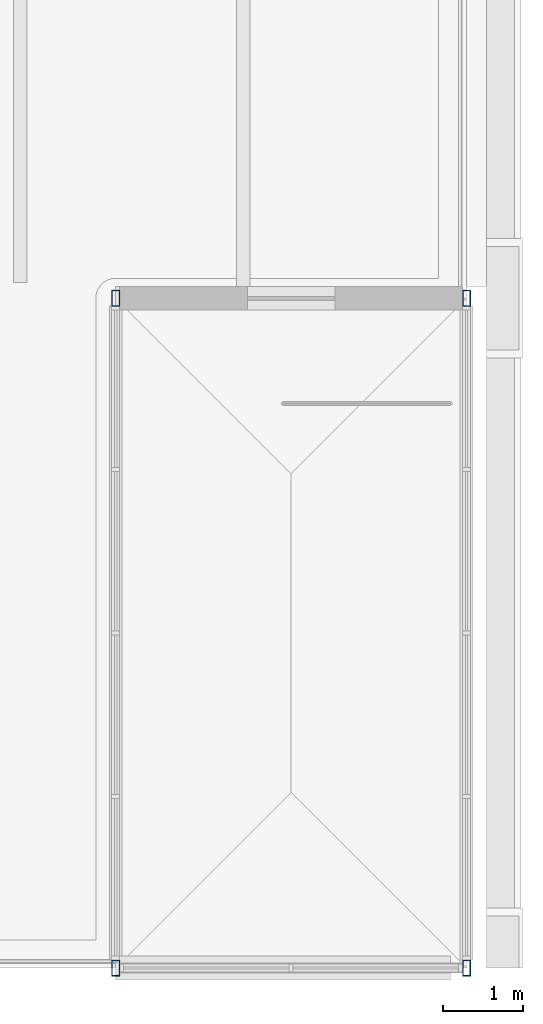
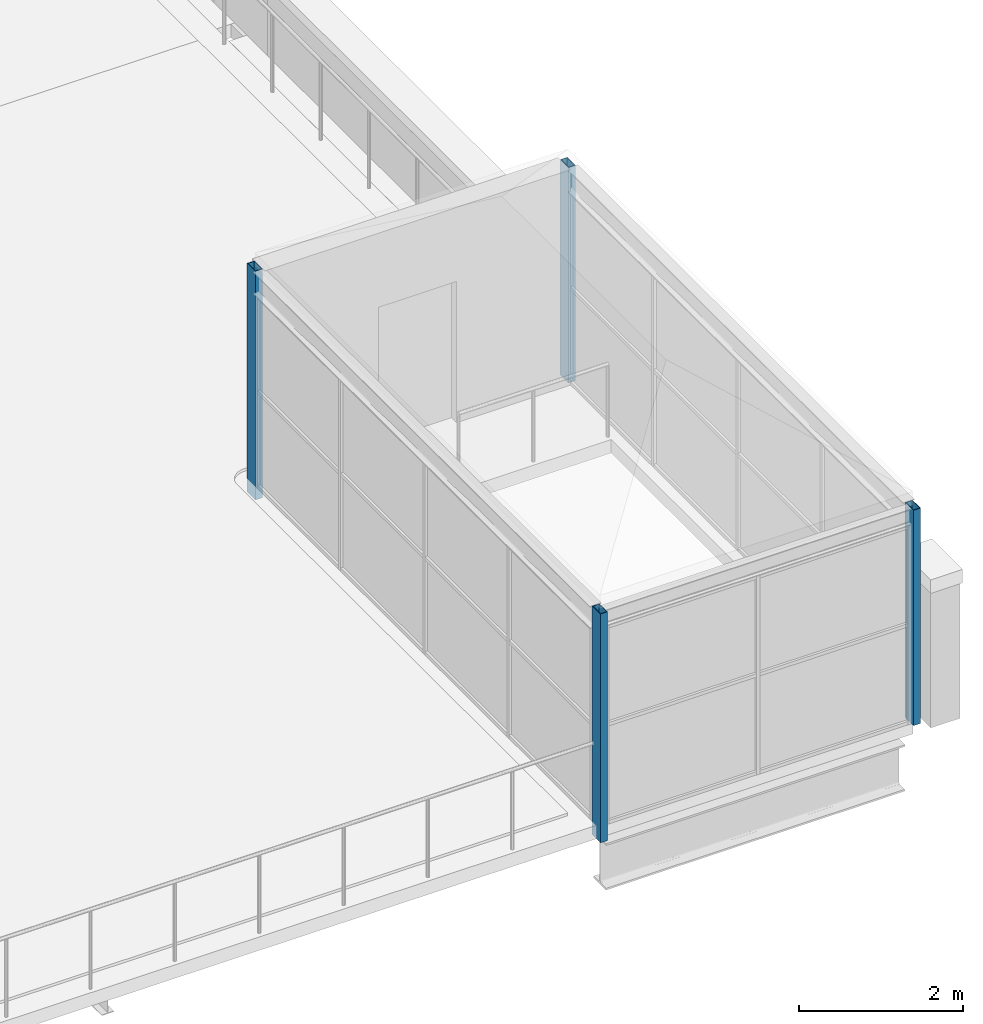
# One storey, part 7 of 58: 4 columns.
"""IFC4 building model written with IfcOpenShell, lengths in metres."""

from ifc_helpers import new_model, si_unit, direction, frame, origin, origin_2d, place, context, subcontext, project, spatial, hollow_rectangle, extrude, material, material_profile, profile_set, type_object, element, save


model = new_model("IFC4")

# Units and contexts
model_context = context("Model", 3, precision=1e-05, world=origin(), true_north=direction((0.0, 1.0)))
body_context = subcontext(model_context, "Body", "Model", "MODEL_VIEW")
ifc_project = project(units=[si_unit("LENGTHUNIT", "METRE"), si_unit("AREAUNIT", "SQUARE_METRE"), si_unit("VOLUMEUNIT", "CUBIC_METRE"), si_unit("PLANEANGLEUNIT", "RADIAN"), si_unit("MASSUNIT", "GRAM", prefix="KILO")], contexts=[model_context])

# Site, building, storey
site_placement = place(None, origin())
site = spatial("IfcSite", under=ifc_project, at=site_placement, CompositionType="ELEMENT")
building_placement = place(site_placement, origin())
building = spatial("IfcBuilding", under=site, at=building_placement, Name="Galleria Vessillo Department Store", CompositionType="ELEMENT")
storey_placement = place(building_placement, frame((0.0, 0.0, 31.199951171875)))
storey = spatial("IfcBuildingStorey", under=building, at=storey_placement, Name="L06", CompositionType="ELEMENT", Elevation=31.199951171875)

# Columns
ifc_material = material(Name="Steel S355 J2", Category="steel")
ifc_material_profile = material_profile(ifc_material, hollow_rectangle(XDim=0.10009765625, YDim=0.199951171875, WallThickness=0.008056640625, at=origin_2d()), Name="RHS 200x100x8")
ifc_profile_set = profile_set([ifc_material_profile], Name="Steel S355 J2")
column_type = type_object("IfcColumnType", Name="Steel post RHS 200x100x8", PredefinedType="COLUMN", material=ifc_profile_set)
column_1_placement = place(storey_placement, frame((113.199951171875, 0.0, -0.199951171875), z_axis=(0.0, 0.0, 1.0), x_axis=(1.0, 0.0, 0.0)))
element("IfcColumn", 1, at=column_1_placement, inside=storey, type_object=column_type, Name="S-PP-ST7-1", PredefinedType="COLUMN", context=body_context, shape_type="SweptSolid", body=[
    extrude(hollow_rectangle(XDim=0.10009765625, YDim=0.199951171875, WallThickness=0.008056640625, at=origin_2d()), origin(), (0.0, 0.0, 1.0), 3.400146484375),
])
column_2_placement = place(storey_placement, frame((117.60009765625, 0.0, 0.0), z_axis=(0.0, 0.0, 1.0), x_axis=(1.0, 0.0, 0.0)))
element("IfcColumn", 2, at=column_2_placement, inside=storey, type_object=column_type, Name="S-PP-ST7-2", PredefinedType="COLUMN", context=body_context, shape_type="SweptSolid", body=[
    extrude(hollow_rectangle(XDim=0.10009765625, YDim=0.199951171875, WallThickness=0.008056640625, at=origin_2d()), origin(), (0.0, 0.0, 1.0), 3.2001953125),
])
column_3_placement = place(storey_placement, frame((113.199951171875, 8.39990234375, -0.199951171875), z_axis=(0.0, 0.0, 1.0), x_axis=(1.0, 0.0, 0.0)))
element("IfcColumn", 3, at=column_3_placement, inside=storey, type_object=column_type, Name="S-PP-ST7-3", PredefinedType="COLUMN", context=body_context, shape_type="SweptSolid", body=[
    extrude(hollow_rectangle(XDim=0.10009765625, YDim=0.199951171875, WallThickness=0.008056640625, at=origin_2d()), origin(), (0.0, 0.0, 1.0), 3.400146484375),
])
column_4_placement = place(storey_placement, frame((117.60009765625, 8.39990234375, 0.0), z_axis=(0.0, 0.0, 1.0), x_axis=(1.0, 0.0, 0.0)))
element("IfcColumn", 4, at=column_4_placement, inside=storey, type_object=column_type, Name="S-PP-ST7-4", PredefinedType="COLUMN", context=body_context, shape_type="SweptSolid", body=[
    extrude(hollow_rectangle(XDim=0.10009765625, YDim=0.199951171875, WallThickness=0.008056640625, at=origin_2d()), origin(), (0.0, 0.0, 1.0), 3.2001953125),
])

save(model, "model.ifc")
